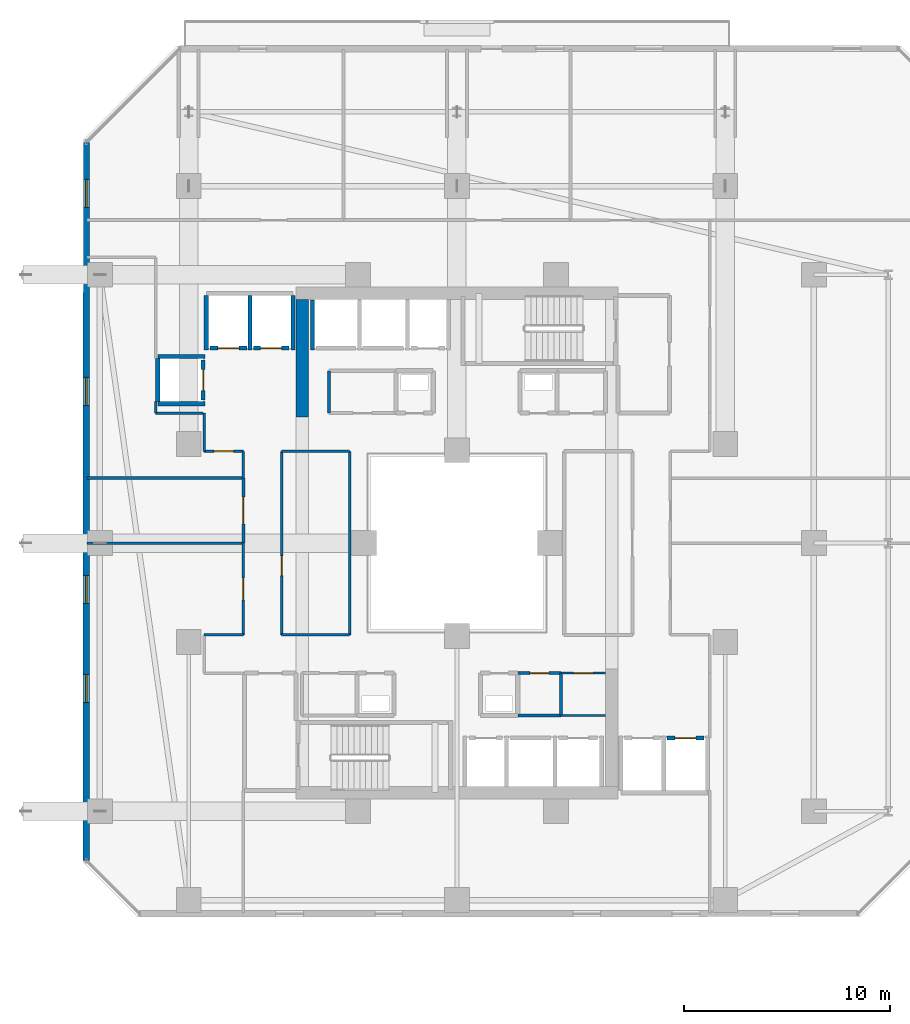
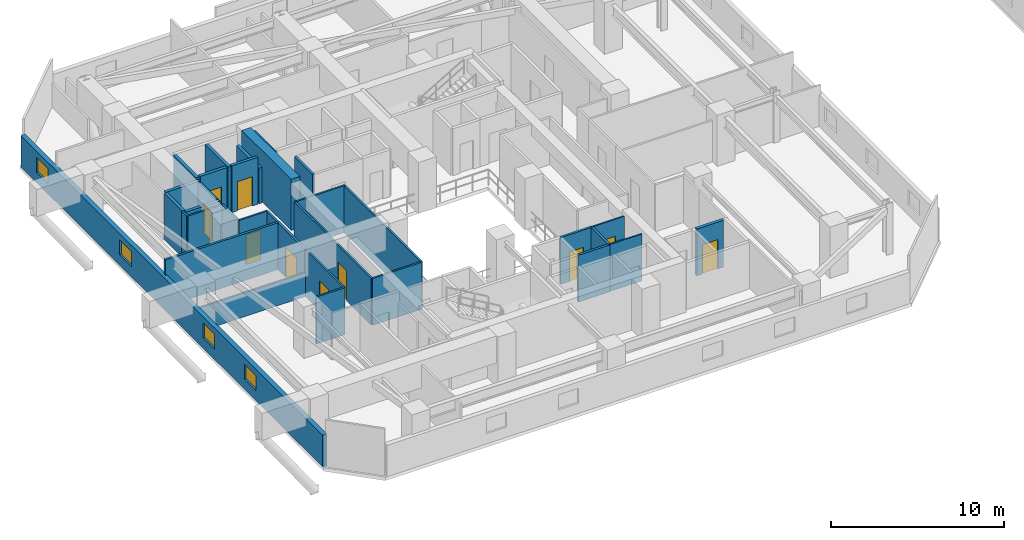
# One storey, part 22 of 36: 33 walls, 10 doors, 4 windows, 14 openings.
"""IFC4 building model written with IfcOpenShell, lengths in metres."""

from ifc_helpers import new_model, si_unit, direction, frame, frame_2d, origin, place, context, subcontext, project, spatial, rectangle, extrude, material, layer, layer_set, type_object, element, fill, save


model = new_model("IFC4")

# Units and contexts
model_context = context("Model", 3, precision=1e-05, world=origin(), true_north=direction((0.0, 1.0)))
body_context = subcontext(model_context, "Body", "Model", "MODEL_VIEW")
ifc_project = project(units=[si_unit("LENGTHUNIT", "METRE"), si_unit("AREAUNIT", "SQUARE_METRE"), si_unit("VOLUMEUNIT", "CUBIC_METRE"), si_unit("PLANEANGLEUNIT", "RADIAN"), si_unit("MASSUNIT", "GRAM", prefix="KILO")], contexts=[model_context])

# Site, building, storey
site_placement = place(None, origin())
site = spatial("IfcSite", under=ifc_project, at=site_placement, CompositionType="ELEMENT")
building_placement = place(site_placement, origin())
building = spatial("IfcBuilding", under=site, at=building_placement, Name="Thornwick Lancets Civic Towers", CompositionType="ELEMENT")
storey_placement = place(building_placement, frame((0.0, 0.0, 94.5)))
storey = spatial("IfcBuildingStorey", under=building, at=storey_placement, Name="L24", CompositionType="ELEMENT", Elevation=94.5)

# Wall, opening, door
ifc_material_1 = material(Name="Concrete blockwork C40/50", Category="masonry")
ifc_layer_1 = layer(ifc_material_1, 0.199951171875, Name="Concrete blockwork C40/50")
ifc_layer_set_1 = layer_set([ifc_layer_1], Name="Concrete blockwork C40/50")
wall_type_1 = type_object("IfcWallType", Name="WALL_COMP_200", PredefinedType="STANDARD", material=ifc_layer_set_1)
wall_1_placement = place(storey_placement, frame((35.679931640625, 17.550048828125, 0.0), z_axis=(0.0, 0.0, 1.0), x_axis=(1.0, 0.0, 0.0)))
wall_1 = element("IfcWall", 1, at=wall_1_placement, inside=storey, type_object=wall_type_1, Name="L24 Hoistway Front Wall PL-AL3", PredefinedType="STANDARD", context=body_context, shape_type="SweptSolid", body=[
    extrude(rectangle(XDim=1.7900390625, YDim=0.199951171875, at=frame_2d((0.89501953125, 0.0))), origin(), (0.0, 0.0, 1.0), 3.300048828125),
])
opening_1_placement = place(wall_1_placement, frame((0.385009765625, 0.0, 0.0)))
opening_1 = element("IfcOpeningElement", 2, at=opening_1_placement, cuts=wall_1, Name="Opening LD-PL-AL3", PredefinedType="OPENING", context=body_context, shape_type="SweptSolid", body=[
    extrude(rectangle(XDim=1.02001953125, YDim=2.06005859375, at=frame_2d((0.510009765625, 1.030029296875))), frame((0.0, 0.10986328125, 0.0), z_axis=(0.0, -1.0, 0.0), x_axis=(1.0, 0.0, 0.0)), (0.0, 0.0, 1.0), 0.219970703125),
])
ifc_material_2 = material(Name="Brushed bronze stainless steel", Category="steel")
door_type_1 = type_object("IfcDoorType", Name="DOOR_LIFT_SLIDE", OperationType="SLIDING_TO_LEFT", PredefinedType="DOOR", material=ifc_material_2)
door_1_placement = place(opening_1_placement, origin())
door_1 = element("IfcDoor", 3, at=door_1_placement, inside=storey, type_object=door_type_1, Name="L24 Sliding Lift Landing Door LD-PL-AL3", OperationType="SLIDING_TO_LEFT", OverallHeight=2.06005859375, OverallWidth=1.02001953125, PredefinedType="DOOR", context=body_context, shape_type="SweptSolid", body=[
    extrude(rectangle(XDim=1.02001953125, YDim=2.06005859375, at=frame_2d((0.510009765625, 1.030029296875))), frame((0.0, 0.02490234375, 0.0), z_axis=(0.0, -1.0, 0.0), x_axis=(1.0, 0.0, 0.0)), (0.0, 0.0, 1.0), 0.050048828125),
])
fill(opening_1, door_1)

wall_2_placement = place(storey_placement, frame((17.3701171875, 36.449951171875, 0.0), z_axis=(0.0, 0.0, 1.0), x_axis=(-1.0, 0.0, 0.0)))
wall_2 = element("IfcWall", 4, at=wall_2_placement, inside=storey, type_object=wall_type_1, Name="L24 Hoistway Front Wall PL-AM1", PredefinedType="STANDARD", context=body_context, shape_type="SweptSolid", body=[
    extrude(rectangle(XDim=1.740234375, YDim=0.199951171875, at=frame_2d((0.8701171875, 0.0))), origin(), (0.0, 0.0, 1.0), 3.300048828125),
])
opening_2_placement = place(wall_2_placement, frame((0.360107421875, 0.0, 0.0)))
opening_2 = element("IfcOpeningElement", 5, at=opening_2_placement, cuts=wall_2, Name="Opening LD-PL-AM1", PredefinedType="OPENING", context=body_context, shape_type="SweptSolid", body=[
    extrude(rectangle(XDim=1.02001953125, YDim=2.06005859375, at=frame_2d((0.510009765625, 1.030029296875))), frame((0.0, 0.10986328125, 0.0), z_axis=(0.0, -1.0, 0.0), x_axis=(1.0, 0.0, 0.0)), (0.0, 0.0, 1.0), 0.219970703125),
])
door_2_placement = place(opening_2_placement, origin())
door_2 = element("IfcDoor", 6, at=door_2_placement, inside=storey, type_object=door_type_1, Name="L24 Sliding Lift Landing Door LD-PL-AM1", OperationType="SLIDING_TO_LEFT", OverallHeight=2.06005859375, OverallWidth=1.02001953125, PredefinedType="DOOR", context=body_context, shape_type="SweptSolid", body=[
    extrude(rectangle(XDim=1.02001953125, YDim=2.06005859375, at=frame_2d((0.510009765625, 1.030029296875))), frame((0.0, 0.02490234375, 0.0), z_axis=(0.0, -1.0, 0.0), x_axis=(1.0, 0.0, 0.0)), (0.0, 0.0, 1.0), 0.050048828125),
])
fill(opening_2, door_2)

wall_3_placement = place(storey_placement, frame((15.320068359375, 36.449951171875, 0.0), z_axis=(0.0, 0.0, 1.0), x_axis=(-1.0, 0.0, 0.0)))
wall_3 = element("IfcWall", 7, at=wall_3_placement, inside=storey, type_object=wall_type_1, Name="L24 Hoistway Front Wall PL-AM2", PredefinedType="STANDARD", context=body_context, shape_type="SweptSolid", body=[
    extrude(rectangle(XDim=1.7900390625, YDim=0.199951171875, at=frame_2d((0.89501953125, 0.0))), origin(), (0.0, 0.0, 1.0), 3.300048828125),
])
opening_3_placement = place(wall_3_placement, frame((0.385009765625, 0.0, 0.0)))
opening_3 = element("IfcOpeningElement", 8, at=opening_3_placement, cuts=wall_3, Name="Opening LD-PL-AM2", PredefinedType="OPENING", context=body_context, shape_type="SweptSolid", body=[
    extrude(rectangle(XDim=1.02001953125, YDim=2.06005859375, at=frame_2d((0.510009765625, 1.030029296875))), frame((0.0, 0.10986328125, 0.0), z_axis=(0.0, -1.0, 0.0), x_axis=(1.0, 0.0, 0.0)), (0.0, 0.0, 1.0), 0.219970703125),
])
door_3_placement = place(opening_3_placement, origin())
door_3 = element("IfcDoor", 9, at=door_3_placement, inside=storey, type_object=door_type_1, Name="L24 Sliding Lift Landing Door LD-PL-AM2", OperationType="SLIDING_TO_LEFT", OverallHeight=2.06005859375, OverallWidth=1.02001953125, PredefinedType="DOOR", context=body_context, shape_type="SweptSolid", body=[
    extrude(rectangle(XDim=1.02001953125, YDim=2.06005859375, at=frame_2d((0.510009765625, 1.030029296875))), frame((0.0, 0.02490234375, 0.0), z_axis=(0.0, -1.0, 0.0), x_axis=(1.0, 0.0, 0.0)), (0.0, 0.0, 1.0), 0.050048828125),
])
fill(opening_3, door_3)

wall_4_placement = place(storey_placement, frame((13.199951171875, 33.929931640625, 0.0), z_axis=(0.0, 0.0, 1.0), x_axis=(0.0, 1.0, 0.0)))
wall_4 = element("IfcWall", 10, at=wall_4_placement, inside=storey, type_object=wall_type_1, Name="L24 Hoistway Front Wall PL-AM3", PredefinedType="STANDARD", context=body_context, shape_type="SweptSolid", body=[
    extrude(rectangle(XDim=1.940185546875, YDim=0.199951171875, at=frame_2d((0.97021484375, 0.0))), origin(), (0.0, 0.0, 1.0), 3.300048828125),
])
opening_4_placement = place(wall_4_placement, frame((0.4599609375, 0.0, 0.0)))
opening_4 = element("IfcOpeningElement", 11, at=opening_4_placement, cuts=wall_4, Name="Opening LD-PL-AM3", PredefinedType="OPENING", context=body_context, shape_type="SweptSolid", body=[
    extrude(rectangle(XDim=1.02001953125, YDim=2.06005859375, at=frame_2d((0.510009765625, 1.030029296875))), frame((0.0, 0.10986328125, 0.0), z_axis=(0.0, -1.0, 0.0), x_axis=(1.0, 0.0, 0.0)), (0.0, 0.0, 1.0), 0.219970703125),
])
door_4_placement = place(opening_4_placement, origin())
door_4 = element("IfcDoor", 12, at=door_4_placement, inside=storey, type_object=door_type_1, Name="L24 Sliding Lift Landing Door LD-PL-AM3", OperationType="SLIDING_TO_LEFT", OverallHeight=2.06005859375, OverallWidth=1.02001953125, PredefinedType="DOOR", context=body_context, shape_type="SweptSolid", body=[
    extrude(rectangle(XDim=1.02001953125, YDim=2.06005859375, at=frame_2d((0.510009765625, 1.030029296875))), frame((0.0, 0.02490234375, 0.0), z_axis=(0.0, -1.0, 0.0), x_axis=(1.0, 0.0, 0.0)), (0.0, 0.0, 1.0), 0.050048828125),
])
fill(opening_4, door_4)

# Walls
wall_5_placement = place(storey_placement, frame((18.5, 36.35205078125, 0.0), z_axis=(0.0, 0.0, 1.0), x_axis=(0.0, 1.0, 0.0)))
element("IfcWall", 13, at=wall_5_placement, inside=storey, type_object=wall_type_1, Name="L24 Hoistway Shaft Wall PL-AH3 W", PredefinedType="STANDARD", context=body_context, shape_type="SweptSolid", body=[
    extrude(rectangle(XDim=2.43603515625, YDim=0.199951171875, at=frame_2d((1.218017578125, 0.0))), origin(), (0.0, 0.0, 1.0), 3.300048828125),
])
wall_6_placement = place(storey_placement, frame((17.550048828125, 36.35205078125, 0.0), z_axis=(0.0, 0.0, 1.0), x_axis=(0.0, 1.0, 0.0)))
element("IfcWall", 14, at=wall_6_placement, inside=storey, type_object=wall_type_1, Name="L24 Hoistway Shaft Wall PL-AM1 E", PredefinedType="STANDARD", context=body_context, shape_type="SweptSolid", body=[
    extrude(rectangle(XDim=2.635986328125, YDim=0.199951171875, at=frame_2d((1.31787109375, 0.0))), origin(), (0.0, 0.0, 1.0), 2.5048828125),
])
for number, where, z_axis, x_axis, name in (
    (15, (15.47509765625, 36.35205078125, 0.0), (0.0, 0.0, 1.0), (0.0, 1.0, 0.0), "L24 Hoistway Shaft Wall PL-AM1 W"),
    (16, (13.35009765625, 36.35205078125, 0.0), (0.0, 0.0, 1.0), (0.0, 1.0, 0.0), "L24 Hoistway Shaft Wall PL-AM2 W"),
):
    element("IfcWall", number, at=place(storey_placement, frame(where, z_axis=z_axis, x_axis=x_axis)), inside=storey, type_object=wall_type_1, Name=name, PredefinedType="STANDARD", context=body_context, shape_type="SweptSolid", body=[
        extrude(rectangle(XDim=2.635986328125, YDim=0.199951171875, at=frame_2d((1.31787109375, 0.0))), origin(), (0.0, 0.0, 1.0), 3.300048828125),
    ])
for number, where, z_axis, x_axis, name in (
    (17, (11.001953125, 36.050048828125, 0.0), (0.0, 0.0, 1.0), (1.0, 0.0, 0.0), "L24 Hoistway Shaft Wall PL-AM3 N"),
    (18, (11.001953125, 33.75, 0.0), (0.0, 0.0, 1.0), (1.0, 0.0, 0.0), "L24 Hoistway Shaft Wall PL-AM3 S"),
):
    element("IfcWall", number, at=place(storey_placement, frame(where, z_axis=z_axis, x_axis=x_axis)), inside=storey, type_object=wall_type_1, Name=name, PredefinedType="STANDARD", context=body_context, shape_type="SweptSolid", body=[
        extrude(rectangle(XDim=2.296142578125, YDim=0.199951171875, at=frame_2d((1.14794921875, 0.0))), origin(), (0.0, 0.0, 1.0), 3.300048828125),
    ])
wall_7_placement = place(storey_placement, frame((11.0, 33.862060546875, 0.0), z_axis=(0.0, 0.0, 1.0), x_axis=(0.0, 1.0, 0.0)))
element("IfcWall", 19, at=wall_7_placement, inside=storey, type_object=wall_type_1, Name="L24 Hoistway Shaft Wall PL-AM3 W", PredefinedType="STANDARD", context=body_context, shape_type="SweptSolid", body=[
    extrude(rectangle(XDim=2.075927734375, YDim=0.199951171875, at=frame_2d((1.0380859375, 0.0))), origin(), (0.0, 0.0, 1.0), 3.300048828125),
])
ifc_material_3 = material(Name="Concrete C60/75", Category="concrete")
ifc_layer_2 = layer(ifc_material_3, 0.60009765625, Name="Concrete C60/75")
ifc_layer_set_2 = layer_set([ifc_layer_2], Name="Concrete C60/75")
wall_type_2 = type_object("IfcWallType", Name="WALL_CORE_600", PredefinedType="SHEAR", material=ifc_layer_set_2)
wall_8_placement = place(storey_placement, frame((18.0, 33.10009765625, 0.0), z_axis=(0.0, 0.0, 1.0), x_axis=(0.0, 1.0, 0.0)))
element("IfcWall", 20, at=wall_8_placement, inside=storey, type_object=wall_type_2, Name="L24 Split Core A2 Shear Wall W", PredefinedType="SHEAR", context=body_context, shape_type="SweptSolid", body=[
    extrude(rectangle(XDim=5.699951171875, YDim=0.60009765625, at=frame_2d((2.85009765625, 0.0))), origin(), (0.0, 0.0, 1.0), 3.60009765625),
])

# Wall, openings, windows
ifc_material_4 = material(Name="Insulated russet terracotta rainscreen on concrete C40/50", Category="masonry")
ifc_layer_3 = layer(ifc_material_4, 0.300048828125, Name="Insulated russet terracotta rainscreen on concrete C40/50")
ifc_layer_set_3 = layer_set([ifc_layer_3], Name="Insulated russet terracotta rainscreen on concrete C40/50")
wall_type_3 = type_object("IfcWallType", Name="WALL_EXT_RUSSET_300", PredefinedType="STANDARD", material=ifc_layer_set_3)
wall_9_placement = place(storey_placement, frame((7.541748046875, 46.425048828125, 0.0), z_axis=(0.0, 0.0, 1.0), x_axis=(-0.000182370391, -0.999999983371, 0.0)))
wall_9 = element("IfcWall", 21, at=wall_9_placement, inside=storey, type_object=wall_type_3, Name="L24 Tower A Terracotta Facade Wall E6", PredefinedType="STANDARD", context=body_context, shape_type="SweptSolid", body=[
    extrude(rectangle(XDim=34.806396484375, YDim=0.300048828125, at=frame_2d((17.4033203125, 0.0))), origin(), (0.0, 0.0, 1.0), 2.219970703125),
])
opening_5_placement = place(wall_9_placement, frame((1.800048828125, 0.0, 0.719970703125)))
opening_5 = element("IfcOpeningElement", 22, at=opening_5_placement, cuts=wall_9, Name="Opening WL-03", PredefinedType="OPENING", context=body_context, shape_type="SweptSolid", body=[
    extrude(rectangle(XDim=1.35009765625, YDim=1.050048828125, at=frame_2d((0.675048828125, 0.52490234375))), frame((0.0, 0.16015625, 0.0), z_axis=(0.0, -1.0, 0.0), x_axis=(1.0, 0.0, 0.0)), (0.0, 0.0, 1.0), 0.320068359375),
])
opening_6_placement = place(wall_9_placement, frame((11.39990234375, 0.0, 0.719970703125)))
opening_6 = element("IfcOpeningElement", 23, at=opening_6_placement, cuts=wall_9, Name="Opening WL-03", PredefinedType="OPENING", context=body_context, shape_type="SweptSolid", body=[
    extrude(rectangle(XDim=1.35009765625, YDim=1.050048828125, at=frame_2d((0.675048828125, 0.52490234375))), frame((0.0, 0.16015625, 0.0), z_axis=(0.0, -1.0, 0.0), x_axis=(1.0, 0.0, 0.0)), (0.0, 0.0, 1.0), 0.320068359375),
])
opening_7_placement = place(wall_9_placement, frame((21.0, 0.0, 0.719970703125)))
opening_7 = element("IfcOpeningElement", 24, at=opening_7_placement, cuts=wall_9, Name="Opening WL-03", PredefinedType="OPENING", context=body_context, shape_type="SweptSolid", body=[
    extrude(rectangle(XDim=1.35009765625, YDim=1.050048828125, at=frame_2d((0.675048828125, 0.52490234375))), frame((0.0, 0.16015625, 0.0), z_axis=(0.0, -1.0, 0.0), x_axis=(1.0, 0.0, 0.0)), (0.0, 0.0, 1.0), 0.320068359375),
])
opening_8_placement = place(wall_9_placement, frame((25.800048828125, 0.0, 0.719970703125)))
opening_8 = element("IfcOpeningElement", 25, at=opening_8_placement, cuts=wall_9, Name="Opening WL-03", PredefinedType="OPENING", context=body_context, shape_type="SweptSolid", body=[
    extrude(rectangle(XDim=1.35009765625, YDim=1.050048828125, at=frame_2d((0.675048828125, 0.52490234375))), frame((0.0, 0.16015625, 0.0), z_axis=(0.0, -1.0, 0.0), x_axis=(1.0, 0.0, 0.0)), (0.0, 0.0, 1.0), 0.320068359375),
])
ifc_material_5 = material(Name="Clear low-e double glazing clerestory lancet", Category="glass")
window_type = type_object("IfcWindowType", Name="WIN_LANCET_1350", PartitioningType="SINGLE_PANEL", PredefinedType="WINDOW", material=ifc_material_5)
window_1_placement = place(opening_5_placement, origin())
window_1 = element("IfcWindow", 26, at=window_1_placement, inside=storey, type_object=window_type, Name="L24 Tower A Staggered Lancet Window E6-1", OverallHeight=1.050048828125, OverallWidth=1.35009765625, PartitioningType="SINGLE_PANEL", PredefinedType="WINDOW", context=body_context, shape_type="SweptSolid", body=[
    extrude(rectangle(XDim=1.35009765625, YDim=1.050048828125, at=frame_2d((0.675048828125, 0.52490234375))), frame((0.0, 0.030029296875, 0.0), z_axis=(0.0, -1.0, 0.0), x_axis=(1.0, 0.0, 0.0)), (0.0, 0.0, 1.0), 0.06005859375),
])
fill(opening_5, window_1)
window_2_placement = place(opening_6_placement, origin())
window_2 = element("IfcWindow", 27, at=window_2_placement, inside=storey, type_object=window_type, Name="L24 Tower A Staggered Lancet Window E6-2", OverallHeight=1.050048828125, OverallWidth=1.35009765625, PartitioningType="SINGLE_PANEL", PredefinedType="WINDOW", context=body_context, shape_type="SweptSolid", body=[
    extrude(rectangle(XDim=1.35009765625, YDim=1.050048828125, at=frame_2d((0.675048828125, 0.52490234375))), frame((0.0, 0.030029296875, 0.0), z_axis=(0.0, -1.0, 0.0), x_axis=(1.0, 0.0, 0.0)), (0.0, 0.0, 1.0), 0.06005859375),
])
fill(opening_6, window_2)
window_3_placement = place(opening_7_placement, origin())
window_3 = element("IfcWindow", 28, at=window_3_placement, inside=storey, type_object=window_type, Name="L24 Tower A Staggered Lancet Window E6-3", OverallHeight=1.050048828125, OverallWidth=1.35009765625, PartitioningType="SINGLE_PANEL", PredefinedType="WINDOW", context=body_context, shape_type="SweptSolid", body=[
    extrude(rectangle(XDim=1.35009765625, YDim=1.050048828125, at=frame_2d((0.675048828125, 0.52490234375))), frame((0.0, 0.030029296875, 0.0), z_axis=(0.0, -1.0, 0.0), x_axis=(1.0, 0.0, 0.0)), (0.0, 0.0, 1.0), 0.06005859375),
])
fill(opening_7, window_3)
window_4_placement = place(opening_8_placement, origin())
window_4 = element("IfcWindow", 29, at=window_4_placement, inside=storey, type_object=window_type, Name="L24 Tower A Staggered Lancet Window E6-4", OverallHeight=1.050048828125, OverallWidth=1.35009765625, PartitioningType="SINGLE_PANEL", PredefinedType="WINDOW", context=body_context, shape_type="SweptSolid", body=[
    extrude(rectangle(XDim=1.35009765625, YDim=1.050048828125, at=frame_2d((0.675048828125, 0.52490234375))), frame((0.0, 0.030029296875, 0.0), z_axis=(0.0, -1.0, 0.0), x_axis=(1.0, 0.0, 0.0)), (0.0, 0.0, 1.0), 0.06005859375),
])
fill(opening_8, window_4)

# Wall
ifc_material_6 = material(Name="Lightweight cellular office partition")
ifc_layer_4 = layer(ifc_material_6, 0.10009765625, Name="Lightweight cellular office partition")
ifc_layer_set_4 = layer_set([ifc_layer_4], Name="Lightweight cellular office partition")
wall_type_4 = type_object("IfcWallType", Name="WALL_PART_100", PredefinedType="PARTITIONING", material=ifc_layer_set_4)
wall_10_placement = place(storey_placement, frame((32.699951171875, 18.64990234375, 0.0), z_axis=(0.0, 0.0, 1.0), x_axis=(-1.0, 0.0, 0.0)))
element("IfcWall", 30, at=wall_10_placement, inside=storey, type_object=wall_type_4, Name="L24 Partition L24-A-CLN E2", PredefinedType="PARTITIONING", context=body_context, shape_type="SweptSolid", body=[
    extrude(rectangle(XDim=2.14990234375, YDim=0.10009765625, at=frame_2d((1.074951171875, 0.0))), origin(), (0.0, 0.0, 1.0), 3.300048828125),
])

# Wall, opening, door
wall_11_placement = place(storey_placement, frame((30.550048828125, 20.699951171875, 0.0), z_axis=(0.0, 0.0, 1.0), x_axis=(1.0, 0.0, 0.0)))
wall_11 = element("IfcWall", 31, at=wall_11_placement, inside=storey, type_object=wall_type_4, Name="L24 Partition L24-A-CLN E4", PredefinedType="PARTITIONING", context=body_context, shape_type="SweptSolid", body=[
    extrude(rectangle(XDim=2.14990234375, YDim=0.10009765625, at=frame_2d((1.074951171875, 0.0))), origin(), (0.0, 0.0, 1.0), 3.300048828125),
])
opening_9_placement = place(wall_11_placement, frame((0.60009765625, 0.0, 0.0)))
opening_9 = element("IfcOpeningElement", 32, at=opening_9_placement, cuts=wall_11, Name="Opening D-L24-1115", PredefinedType="OPENING", context=body_context, shape_type="SweptSolid", body=[
    extrude(rectangle(XDim=0.949951171875, YDim=2.10009765625, at=frame_2d((0.47509765625, 1.050048828125))), frame((0.0, 0.06005859375, 0.0), z_axis=(0.0, -1.0, 0.0), x_axis=(1.0, 0.0, 0.0)), (0.0, 0.0, 1.0), 0.1201171875),
])
ifc_material_7 = material(Name="European oak acoustic doorset")
door_type_2 = type_object("IfcDoorType", Name="DOOR_OFFICE_950", OperationType="NOTDEFINED", PredefinedType="DOOR", material=ifc_material_7)
door_5_placement = place(opening_9_placement, origin())
door_5 = element("IfcDoor", 33, at=door_5_placement, inside=storey, type_object=door_type_2, Name="L24 Tower A Cleaners Store Door", OperationType="SINGLE_SWING_RIGHT", OverallHeight=2.10009765625, OverallWidth=0.949951171875, PredefinedType="DOOR", context=body_context, shape_type="SweptSolid", body=[
    extrude(rectangle(XDim=0.949951171875, YDim=2.10009765625, at=frame_2d((0.47509765625, 1.050048828125))), frame((0.0, 0.02490234375, 0.0), z_axis=(0.0, -1.0, 0.0), x_axis=(1.0, 0.0, 0.0)), (0.0, 0.0, 1.0), 0.050048828125),
])
fill(opening_9, door_5)

# Wall
ifc_material_8 = material(Name="Acoustic gypsum board partition")
ifc_layer_5 = layer(ifc_material_8, 0.1201171875, Name="Acoustic gypsum board partition")
ifc_layer_set_5 = layer_set([ifc_layer_5], Name="Acoustic gypsum board partition")
wall_type_5 = type_object("IfcWallType", Name="WALL_PART_120", PredefinedType="PARTITIONING", material=ifc_layer_set_5)
wall_12_placement = place(storey_placement, frame((7.580078125, 27.0, 0.0), z_axis=(0.0, 0.0, 1.0), x_axis=(1.0, 0.0, 0.0)))
element("IfcWall", 34, at=wall_12_placement, inside=storey, type_object=wall_type_5, Name="L24 Partition L24-A-W1 E2", PredefinedType="PARTITIONING", context=body_context, shape_type="SweptSolid", body=[
    extrude(rectangle(XDim=7.56982421875, YDim=0.1201171875, at=frame_2d((3.784912109375, 0.0))), origin(), (0.0, 0.0, 1.0), 1.68505859375),
])

# Wall, opening, door
wall_13_placement = place(storey_placement, frame((15.14990234375, 27.0, 0.0), z_axis=(0.0, 0.0, 1.0), x_axis=(0.0, -1.0, 0.0)))
wall_13 = element("IfcWall", 35, at=wall_13_placement, inside=storey, type_object=wall_type_5, Name="L24 Partition L24-A-W1 E3", PredefinedType="PARTITIONING", context=body_context, shape_type="SweptSolid", body=[
    extrude(rectangle(XDim=4.449951171875, YDim=0.1201171875, at=frame_2d((2.22509765625, 0.0))), origin(), (0.0, 0.0, 1.0), 3.300048828125),
])
opening_10_placement = place(wall_13_placement, frame((1.699951171875, 0.0, 0.0)))
opening_10 = element("IfcOpeningElement", 36, at=opening_10_placement, cuts=wall_13, Name="Opening D-L24-1129", PredefinedType="OPENING", context=body_context, shape_type="SweptSolid", body=[
    extrude(rectangle(XDim=1.050048828125, YDim=2.10009765625, at=frame_2d((0.52490234375, 1.050048828125))), frame((0.0, 0.070068359375, 0.0), z_axis=(0.0, -1.0, 0.0), x_axis=(1.0, 0.0, 0.0)), (0.0, 0.0, 1.0), 0.14013671875),
])
ifc_material_9 = material(Name="Glazed European oak executive doorset")
door_type_3 = type_object("IfcDoorType", Name="DOOR_OFFICE_1050", OperationType="NOTDEFINED", PredefinedType="DOOR", material=ifc_material_9)
door_6_placement = place(opening_10_placement, origin())
door_6 = element("IfcDoor", 37, at=door_6_placement, inside=storey, type_object=door_type_3, Name="L24 Tower A Ministry Directorate Office W1 Door", OperationType="SINGLE_SWING_RIGHT", OverallHeight=2.10009765625, OverallWidth=1.050048828125, PredefinedType="DOOR", context=body_context, shape_type="SweptSolid", body=[
    extrude(rectangle(XDim=1.050048828125, YDim=2.10009765625, at=frame_2d((0.52490234375, 1.050048828125))), frame((0.0, 0.02490234375, 0.0), z_axis=(0.0, -1.0, 0.0), x_axis=(1.0, 0.0, 0.0)), (0.0, 0.0, 1.0), 0.050048828125),
])
fill(opening_10, door_6)

# Walls
wall_14_placement = place(storey_placement, frame((15.14990234375, 22.550048828125, 0.0), z_axis=(0.0, 0.0, 1.0), x_axis=(-1.0, 0.0, 0.0)))
element("IfcWall", 38, at=wall_14_placement, inside=storey, type_object=wall_type_5, Name="L24 Partition L24-A-W1 E4", PredefinedType="PARTITIONING", context=body_context, shape_type="SweptSolid", body=[
    extrude(rectangle(XDim=1.89990234375, YDim=0.1201171875, at=frame_2d((0.949951171875, 0.0))), origin(), (0.0, 0.0, 1.0), 3.300048828125),
])
wall_15_placement = place(storey_placement, frame((10.89990234375, 33.300048828125, 0.0), z_axis=(0.0, 0.0, 1.0), x_axis=(1.0, 0.0, 0.0)))
element("IfcWall", 39, at=wall_15_placement, inside=storey, type_object=wall_type_5, Name="L24 Partition L24-A-W3 E1", PredefinedType="PARTITIONING", context=body_context, shape_type="SweptSolid", body=[
    extrude(rectangle(XDim=2.300048828125, YDim=0.1201171875, at=frame_2d((1.14990234375, 0.0))), origin(), (0.0, 0.0, 1.0), 3.300048828125),
])
wall_16_placement = place(storey_placement, frame((13.25, 33.300048828125, 0.0), z_axis=(0.0, 0.0, 1.0), x_axis=(0.0, -1.0, 0.0)))
element("IfcWall", 40, at=wall_16_placement, inside=storey, type_object=wall_type_5, Name="L24 Partition L24-A-W3 E3", PredefinedType="PARTITIONING", context=body_context, shape_type="SweptSolid", body=[
    extrude(rectangle(XDim=1.85009765625, YDim=0.1201171875, at=frame_2d((0.925048828125, 0.0))), origin(), (0.0, 0.0, 1.0), 3.300048828125),
])

# Wall, opening, door
wall_17_placement = place(storey_placement, frame((13.25, 31.449951171875, 0.0), z_axis=(0.0, 0.0, 1.0), x_axis=(1.0, 0.0, 0.0)))
wall_17 = element("IfcWall", 41, at=wall_17_placement, inside=storey, type_object=wall_type_5, Name="L24 Partition L24-A-W3 E4", PredefinedType="PARTITIONING", context=body_context, shape_type="SweptSolid", body=[
    extrude(rectangle(XDim=1.89990234375, YDim=0.1201171875, at=frame_2d((0.949951171875, 0.0))), origin(), (0.0, 0.0, 1.0), 3.300048828125),
])
opening_11_placement = place(wall_17_placement, frame((0.47509765625, 0.0, 0.0)))
opening_11 = element("IfcOpeningElement", 42, at=opening_11_placement, cuts=wall_17, Name="Opening D-L24-1131", PredefinedType="OPENING", context=body_context, shape_type="SweptSolid", body=[
    extrude(rectangle(XDim=0.949951171875, YDim=2.10009765625, at=frame_2d((0.47509765625, 1.050048828125))), frame((0.0, 0.070068359375, 0.0), z_axis=(0.0, -1.0, 0.0), x_axis=(1.0, 0.0, 0.0)), (0.0, 0.0, 1.0), 0.14013671875),
])
door_7_placement = place(opening_11_placement, origin())
door_7 = element("IfcDoor", 43, at=door_7_placement, inside=storey, type_object=door_type_2, Name="L24 Tower A Staff Tea Pantry and Lounge Door", OperationType="SINGLE_SWING_RIGHT", OverallHeight=2.10009765625, OverallWidth=0.949951171875, PredefinedType="DOOR", context=body_context, shape_type="SweptSolid", body=[
    extrude(rectangle(XDim=0.949951171875, YDim=2.10009765625, at=frame_2d((0.47509765625, 1.050048828125))), frame((0.0, 0.02490234375, 0.0), z_axis=(0.0, -1.0, 0.0), x_axis=(1.0, 0.0, 0.0)), (0.0, 0.0, 1.0), 0.050048828125),
])
fill(opening_11, door_7)

# Walls
wall_18_placement = place(storey_placement, frame((15.14990234375, 31.449951171875, 0.0), z_axis=(0.0, 0.0, 1.0), x_axis=(0.0, -1.0, 0.0)))
element("IfcWall", 44, at=wall_18_placement, inside=storey, type_object=wall_type_5, Name="L24 Partition L24-A-W3 E5", PredefinedType="PARTITIONING", context=body_context, shape_type="SweptSolid", body=[
    extrude(rectangle(XDim=1.300048828125, YDim=0.1201171875, at=frame_2d((0.64990234375, 0.0))), origin(), (0.0, 0.0, 1.0), 3.300048828125),
])
wall_19_placement = place(storey_placement, frame((10.89990234375, 33.862060546875, 0.0), z_axis=(0.0, 0.0, 1.0), x_axis=(0.0, -1.0, 0.0)))
element("IfcWall", 45, at=wall_19_placement, inside=storey, type_object=wall_type_5, Name="L24 Partition L24-A-W3 E9", PredefinedType="PARTITIONING", context=body_context, shape_type="SweptSolid", body=[
    extrude(rectangle(XDim=0.56201171875, YDim=0.1201171875, at=frame_2d((0.281005859375, 0.0))), origin(), (0.0, 0.0, 1.0), 3.300048828125),
])

# Wall, opening, door
wall_20_placement = place(storey_placement, frame((17.0, 22.550048828125, 0.0), z_axis=(0.0, 0.0, 1.0), x_axis=(0.0, 1.0, 0.0)))
wall_20 = element("IfcWall", 46, at=wall_20_placement, inside=storey, type_object=wall_type_5, Name="L24 Partition L24-A-ATR-W E1", PredefinedType="PARTITIONING", context=body_context, shape_type="SweptSolid", body=[
    extrude(rectangle(XDim=8.89990234375, YDim=0.1201171875, at=frame_2d((4.449951171875, 0.0))), origin(), (0.0, 0.0, 1.0), 3.300048828125),
])
opening_12_placement = place(wall_20_placement, frame((2.875, 0.0, 0.0)))
opening_12 = element("IfcOpeningElement", 47, at=opening_12_placement, cuts=wall_20, Name="Opening D-L24-1136", PredefinedType="OPENING", context=body_context, shape_type="SweptSolid", body=[
    extrude(rectangle(XDim=0.949951171875, YDim=2.10009765625, at=frame_2d((0.47509765625, 1.050048828125))), frame((0.0, 0.070068359375, 0.0), z_axis=(0.0, -1.0, 0.0), x_axis=(1.0, 0.0, 0.0)), (0.0, 0.0, 1.0), 0.14013671875),
])
door_8_placement = place(opening_12_placement, origin())
door_8 = element("IfcDoor", 48, at=door_8_placement, inside=storey, type_object=door_type_2, Name="L24 Tower A West Atrium Study Lounge Door", OperationType="SINGLE_SWING_LEFT", OverallHeight=2.10009765625, OverallWidth=0.949951171875, PredefinedType="DOOR", context=body_context, shape_type="SweptSolid", body=[
    extrude(rectangle(XDim=0.949951171875, YDim=2.10009765625, at=frame_2d((0.47509765625, 1.050048828125))), frame((0.0, 0.02490234375, 0.0), z_axis=(0.0, -1.0, 0.0), x_axis=(1.0, 0.0, 0.0)), (0.0, 0.0, 1.0), 0.050048828125),
])
fill(opening_12, door_8)

# Walls
wall_21_placement = place(storey_placement, frame((17.0, 31.449951171875, 0.0), z_axis=(0.0, 0.0, 1.0), x_axis=(1.0, 0.0, 0.0)))
element("IfcWall", 49, at=wall_21_placement, inside=storey, type_object=wall_type_5, Name="L24 Partition L24-A-ATR-W E2", PredefinedType="PARTITIONING", context=body_context, shape_type="SweptSolid", body=[
    extrude(rectangle(XDim=3.300048828125, YDim=0.1201171875, at=frame_2d((1.64990234375, 0.0))), origin(), (0.0, 0.0, 1.0), 3.300048828125),
])
wall_22_placement = place(storey_placement, frame((20.300048828125, 31.449951171875, 0.0), z_axis=(0.0, 0.0, 1.0), x_axis=(0.0, -1.0, 0.0)))
element("IfcWall", 50, at=wall_22_placement, inside=storey, type_object=wall_type_5, Name="L24 Partition L24-A-ATR-W E3", PredefinedType="PARTITIONING", context=body_context, shape_type="SweptSolid", body=[
    extrude(rectangle(XDim=8.89990234375, YDim=0.1201171875, at=frame_2d((4.449951171875, 0.0))), origin(), (0.0, 0.0, 1.0), 3.300048828125),
])
wall_23_placement = place(storey_placement, frame((20.300048828125, 22.550048828125, 0.0), z_axis=(0.0, 0.0, 1.0), x_axis=(-1.0, 0.0, 0.0)))
element("IfcWall", 51, at=wall_23_placement, inside=storey, type_object=wall_type_5, Name="L24 Partition L24-A-ATR-W E4", PredefinedType="PARTITIONING", context=body_context, shape_type="SweptSolid", body=[
    extrude(rectangle(XDim=3.300048828125, YDim=0.1201171875, at=frame_2d((1.64990234375, 0.0))), origin(), (0.0, 0.0, 1.0), 3.300048828125),
])
ifc_material_10 = material(Name="Twin-stud acoustic gypsum board")
ifc_layer_6 = layer(ifc_material_10, 0.14990234375, Name="Twin-stud acoustic gypsum board")
ifc_layer_set_6 = layer_set([ifc_layer_6], Name="Twin-stud acoustic gypsum board")
wall_type_6 = type_object("IfcWallType", Name="WALL_PART_150", PredefinedType="PARTITIONING", material=ifc_layer_set_6)
wall_24_placement = place(storey_placement, frame((30.550048828125, 20.699951171875, 0.0), z_axis=(0.0, 0.0, 1.0), x_axis=(0.0, -1.0, 0.0)))
element("IfcWall", 52, at=wall_24_placement, inside=storey, type_object=wall_type_6, Name="L24 Partition L24-A-MWC E1", PredefinedType="PARTITIONING", context=body_context, shape_type="SweptSolid", body=[
    extrude(rectangle(XDim=2.050048828125, YDim=0.14990234375, at=frame_2d((1.02490234375, 0.0))), origin(), (0.0, 0.0, 1.0), 3.300048828125),
])
wall_25_placement = place(storey_placement, frame((30.550048828125, 18.64990234375, 0.0), z_axis=(0.0, 0.0, 1.0), x_axis=(-1.0, 0.0, 0.0)))
element("IfcWall", 53, at=wall_25_placement, inside=storey, type_object=wall_type_6, Name="L24 Partition L24-A-MWC E2", PredefinedType="PARTITIONING", context=body_context, shape_type="SweptSolid", body=[
    extrude(rectangle(XDim=2.10009765625, YDim=0.14990234375, at=frame_2d((1.050048828125, 0.0))), origin(), (0.0, 0.0, 1.0), 3.300048828125),
])

# Wall, opening, door
wall_26_placement = place(storey_placement, frame((28.449951171875, 20.699951171875, 0.0), z_axis=(0.0, 0.0, 1.0), x_axis=(1.0, 0.0, 0.0)))
wall_26 = element("IfcWall", 54, at=wall_26_placement, inside=storey, type_object=wall_type_6, Name="L24 Partition L24-A-MWC E4", PredefinedType="PARTITIONING", context=body_context, shape_type="SweptSolid", body=[
    extrude(rectangle(XDim=2.10009765625, YDim=0.14990234375, at=frame_2d((1.050048828125, 0.0))), origin(), (0.0, 0.0, 1.0), 3.300048828125),
])
opening_13_placement = place(wall_26_placement, frame((0.590087890625, 0.0, 0.0)))
opening_13 = element("IfcOpeningElement", 55, at=opening_13_placement, cuts=wall_26, Name="Opening D-L24-1114", PredefinedType="OPENING", context=body_context, shape_type="SweptSolid", body=[
    extrude(rectangle(XDim=0.919921875, YDim=2.080078125, at=frame_2d((0.4599609375, 1.0400390625))), frame((0.0, 0.0849609375, 0.0), z_axis=(0.0, -1.0, 0.0), x_axis=(1.0, 0.0, 0.0)), (0.0, 0.0, 1.0), 0.169921875),
])
ifc_material_11 = material(Name="Moisture-resistant oak doorset")
door_type_4 = type_object("IfcDoorType", Name="DOOR_WC_900", OperationType="NOTDEFINED", PredefinedType="DOOR", material=ifc_material_11)
door_9_placement = place(opening_13_placement, origin())
door_9 = element("IfcDoor", 56, at=door_9_placement, inside=storey, type_object=door_type_4, Name="L24 Tower A Male WC Door", OperationType="SINGLE_SWING_LEFT", OverallHeight=2.080078125, OverallWidth=0.919921875, PredefinedType="DOOR", context=body_context, shape_type="SweptSolid", body=[
    extrude(rectangle(XDim=0.919921875, YDim=2.080078125, at=frame_2d((0.4599609375, 1.0400390625))), frame((0.0, 0.02490234375, 0.0), z_axis=(0.0, -1.0, 0.0), x_axis=(1.0, 0.0, 0.0)), (0.0, 0.0, 1.0), 0.050048828125),
])
fill(opening_13, door_9)

# Walls
wall_27_placement = place(storey_placement, frame((19.300048828125, 33.300048828125, 0.0), z_axis=(0.0, 0.0, 1.0), x_axis=(0.0, 1.0, 0.0)))
element("IfcWall", 57, at=wall_27_placement, inside=storey, type_object=wall_type_6, Name="L24 Partition L24-A-FWC E1", PredefinedType="PARTITIONING", context=body_context, shape_type="SweptSolid", body=[
    extrude(rectangle(XDim=2.050048828125, YDim=0.14990234375, at=frame_2d((1.02490234375, 0.0))), origin(), (0.0, 0.0, 1.0), 3.300048828125),
])
wall_28_placement = place(storey_placement, frame((7.580078125, 30.14990234375, 0.0), z_axis=(0.0, 0.0, 1.0), x_axis=(1.0, 0.0, 0.0)))
element("IfcWall", 58, at=wall_28_placement, inside=storey, type_object=wall_type_6, Name="L24 Partition L24-A-W2 E3", PredefinedType="PARTITIONING", context=body_context, shape_type="SweptSolid", body=[
    extrude(rectangle(XDim=7.56982421875, YDim=0.14990234375, at=frame_2d((3.784912109375, 0.0))), origin(), (0.0, 0.0, 1.0), 3.300048828125),
])

# Wall, opening, door
wall_29_placement = place(storey_placement, frame((15.14990234375, 30.14990234375, 0.0), z_axis=(0.0, 0.0, 1.0), x_axis=(0.0, -1.0, 0.0)))
wall_29 = element("IfcWall", 59, at=wall_29_placement, inside=storey, type_object=wall_type_6, Name="L24 Partition L24-A-W2 E4", PredefinedType="PARTITIONING", context=body_context, shape_type="SweptSolid", body=[
    extrude(rectangle(XDim=3.14990234375, YDim=0.14990234375, at=frame_2d((1.574951171875, 0.0))), origin(), (0.0, 0.0, 1.0), 3.300048828125),
])
opening_14_placement = place(wall_29_placement, frame((0.925048828125, 0.0, 0.0)))
opening_14 = element("IfcOpeningElement", 60, at=opening_14_placement, cuts=wall_29, Name="Opening D-L24-1130", PredefinedType="OPENING", context=body_context, shape_type="SweptSolid", body=[
    extrude(rectangle(XDim=1.300048828125, YDim=2.1201171875, at=frame_2d((0.64990234375, 1.06005859375))), frame((0.0, 0.0849609375, 0.0), z_axis=(0.0, -1.0, 0.0), x_axis=(1.0, 0.0, 0.0)), (0.0, 0.0, 1.0), 0.169921875),
])
ifc_material_12 = material(Name="Acoustic oak leaf-and-a-half doorset")
door_type_5 = type_object("IfcDoorType", Name="DOOR_MEET_1300", OperationType="DOUBLE_DOOR_SINGLE_SWING", PredefinedType="DOOR", material=ifc_material_12)
door_10_placement = place(opening_14_placement, origin())
door_10 = element("IfcDoor", 61, at=door_10_placement, inside=storey, type_object=door_type_5, Name="L24 Tower A Policy Briefing Room W2 Door", OperationType="DOUBLE_DOOR_SINGLE_SWING", OverallHeight=2.1201171875, OverallWidth=1.300048828125, PredefinedType="DOOR", context=body_context, shape_type="SweptSolid", body=[
    extrude(rectangle(XDim=1.300048828125, YDim=2.1201171875, at=frame_2d((0.64990234375, 1.06005859375))), frame((0.0, 0.02490234375, 0.0), z_axis=(0.0, -1.0, 0.0), x_axis=(1.0, 0.0, 0.0)), (0.0, 0.0, 1.0), 0.050048828125),
])
fill(opening_14, door_10)

save(model, "model.ifc")
